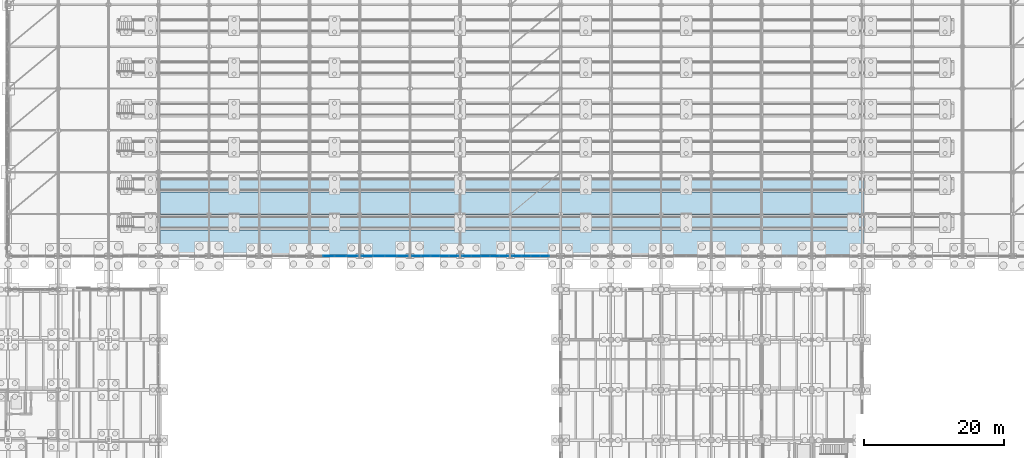
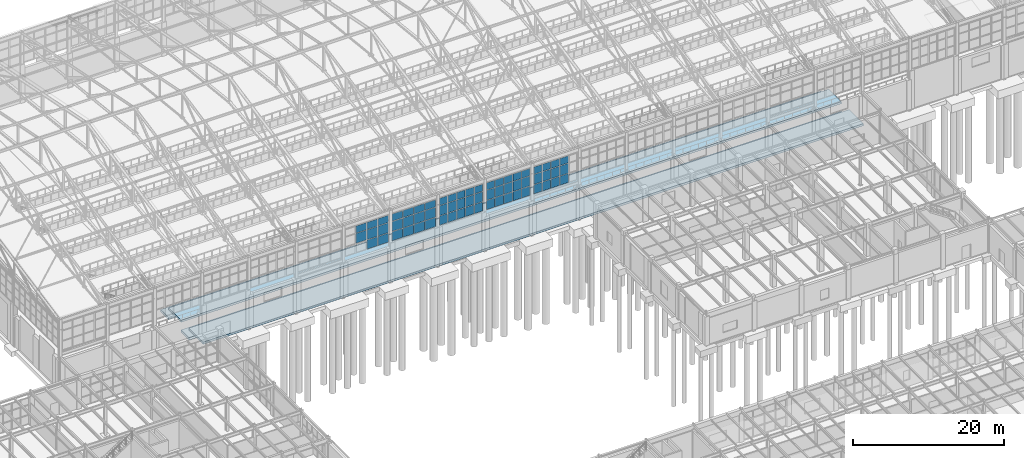
# One storey, part 241 of 293: 62 plates, 4 slabs, 5 elements without a shape of their own.
"""IFC4 building model written with IfcOpenShell, lengths in metres."""

from ifc_helpers import new_model, si_unit, direction, frame, origin, origin_2d, place, context, subcontext, project, spatial, polyline, rectangle, outline, extrude, material, layer, layer_set, type_object, element, aggregate, save


model = new_model("IFC4")

# Units and contexts
model_context = context("Model", 3, precision=1e-05, world=origin(), true_north=direction((0.0, 1.0)))
body_context = subcontext(model_context, "Body", "Model", "MODEL_VIEW")
ifc_project = project(units=[si_unit("LENGTHUNIT", "METRE"), si_unit("AREAUNIT", "SQUARE_METRE"), si_unit("VOLUMEUNIT", "CUBIC_METRE"), si_unit("PLANEANGLEUNIT", "RADIAN"), si_unit("MASSUNIT", "GRAM", prefix="KILO")], contexts=[model_context])

# Site, building, storey
site_placement = place(None, origin())
site = spatial("IfcSite", under=ifc_project, at=site_placement, CompositionType="ELEMENT")
building_placement = place(site_placement, origin())
building = spatial("IfcBuilding", under=site, at=building_placement, Name="Kemerveld Promenade Tramway Depot", CompositionType="ELEMENT")
storey_placement = place(building_placement, origin())
storey = spatial("IfcBuildingStorey", under=building, at=storey_placement, Name="L00", CompositionType="ELEMENT", Elevation=0.0)

# Curtain wall, plates
ifc_material_1 = material(Name="Bronze anodised aluminium and solar glass", Category="aluminium")
ifc_layer_1 = layer(ifc_material_1, 0.199951171875)
ifc_layer_set_1 = layer_set([ifc_layer_1], Name="CW-SYS-10")
curtain_wall_type_1 = type_object("IfcCurtainWallType", Name="CW-SYS-10", PredefinedType="USERDEFINED", material=ifc_layer_set_1)
curtain_wall_1_placement = place(storey_placement, origin())
curtain_wall_1 = element("IfcCurtainWall", 1, at=curtain_wall_1_placement, inside=storey, type_object=curtain_wall_type_1, Name="CW-V1-S-07", ObjectType="GLAZED_CURTAIN_WALL", PredefinedType="USERDEFINED")
ifc_material_2 = material(Name="Solar-control laminated double glazing", Category="glass")
ifc_layer_2 = layer(ifc_material_2, 0.028076171875)
ifc_layer_set_2 = layer_set([ifc_layer_2], Name="CW-PNL-02")
plate_type_1 = type_object("IfcPlateType", Name="CW-PNL-02", PredefinedType="CURTAIN_PANEL", material=ifc_layer_set_2)
plate_1_placement = place(storey_placement, frame((85.31396484375, 84.0, 6.26513671875), z_axis=(0.0, 0.0, 1.0), x_axis=(-1.0, 0.0, 0.0)))
plate_1 = element("IfcPlate", 2, at=plate_1_placement, type_object=plate_type_1, Name="CW10 panel 1.1", PredefinedType="CURTAIN_PANEL", context=body_context, shape_type="SweptSolid", body=[
    extrude(rectangle(XDim=1.575927734375, YDim=0.028076171875, at=origin_2d()), origin(), (0.0, 0.0, 1.0), 1.46044921875),
])
plate_2_placement = place(storey_placement, frame((85.31396484375, 84.0, 7.79052734375), z_axis=(0.0, 0.0, 1.0), x_axis=(-1.0, 0.0, 0.0)))
plate_2 = element("IfcPlate", 3, at=plate_2_placement, type_object=plate_type_1, Name="CW10 panel 1.2", PredefinedType="CURTAIN_PANEL", context=body_context, shape_type="SweptSolid", body=[
    extrude(rectangle(XDim=1.575927734375, YDim=0.028076171875, at=origin_2d()), origin(), (0.0, 0.0, 1.0), 1.5810546875),
])
plate_3_placement = place(storey_placement, frame((85.31396484375, 84.0, 9.4365234375), z_axis=(0.0, 0.0, 1.0), x_axis=(-1.0, 0.0, 0.0)))
plate_3 = element("IfcPlate", 4, at=plate_3_placement, type_object=plate_type_1, Name="CW10 panel 1.3", PredefinedType="CURTAIN_PANEL", context=body_context, shape_type="SweptSolid", body=[
    extrude(rectangle(XDim=1.575927734375, YDim=0.028076171875, at=origin_2d()), origin(), (0.0, 0.0, 1.0), 1.1484375),
])
plate_4_placement = place(storey_placement, frame((83.644287109375, 84.0, 6.26513671875), z_axis=(0.0, 0.0, 1.0), x_axis=(-1.0, 0.0, 0.0)))
plate_4 = element("IfcPlate", 5, at=plate_4_placement, type_object=plate_type_1, Name="CW10 panel 2.1", PredefinedType="CURTAIN_PANEL", context=body_context, shape_type="SweptSolid", body=[
    extrude(rectangle(XDim=1.61328125, YDim=0.028076171875, at=origin_2d()), origin(), (0.0, 0.0, 1.0), 1.46044921875),
])
plate_5_placement = place(storey_placement, frame((83.644287109375, 84.0, 7.79052734375), z_axis=(0.0, 0.0, 1.0), x_axis=(-1.0, 0.0, 0.0)))
plate_5 = element("IfcPlate", 6, at=plate_5_placement, type_object=plate_type_1, Name="CW10 panel 2.2", PredefinedType="CURTAIN_PANEL", context=body_context, shape_type="SweptSolid", body=[
    extrude(rectangle(XDim=1.61328125, YDim=0.028076171875, at=origin_2d()), origin(), (0.0, 0.0, 1.0), 1.5810546875),
])
plate_6_placement = place(storey_placement, frame((83.644287109375, 84.0, 9.4365234375), z_axis=(0.0, 0.0, 1.0), x_axis=(-1.0, 0.0, 0.0)))
plate_6 = element("IfcPlate", 7, at=plate_6_placement, type_object=plate_type_1, Name="CW10 panel 2.3", PredefinedType="CURTAIN_PANEL", context=body_context, shape_type="SweptSolid", body=[
    extrude(rectangle(XDim=1.61328125, YDim=0.028076171875, at=origin_2d()), origin(), (0.0, 0.0, 1.0), 1.1484375),
])
plate_7_placement = place(storey_placement, frame((81.955810546875, 84.0, 7.79052734375), z_axis=(0.0, 0.0, 1.0), x_axis=(-1.0, 0.0, 0.0)))
plate_7 = element("IfcPlate", 8, at=plate_7_placement, type_object=plate_type_1, Name="CW10 panel 3.2", PredefinedType="CURTAIN_PANEL", context=body_context, shape_type="SweptSolid", body=[
    extrude(rectangle(XDim=1.61328125, YDim=0.028076171875, at=origin_2d()), origin(), (0.0, 0.0, 1.0), 1.5810546875),
])
plate_8_placement = place(storey_placement, frame((81.955810546875, 84.0, 9.4365234375), z_axis=(0.0, 0.0, 1.0), x_axis=(-1.0, 0.0, 0.0)))
plate_8 = element("IfcPlate", 9, at=plate_8_placement, type_object=plate_type_1, Name="CW10 panel 3.3", PredefinedType="CURTAIN_PANEL", context=body_context, shape_type="SweptSolid", body=[
    extrude(rectangle(XDim=1.61328125, YDim=0.028076171875, at=origin_2d()), origin(), (0.0, 0.0, 1.0), 1.1484375),
])
aggregate(curtain_wall_1, [plate_1, plate_2, plate_3, plate_4, plate_5, plate_6, plate_7, plate_8])

ifc_layer_3 = layer(ifc_material_1, 0.159912109375)
ifc_layer_set_3 = layer_set([ifc_layer_3], Name="CW-SYS-11")
curtain_wall_type_2 = type_object("IfcCurtainWallType", Name="CW-SYS-11", PredefinedType="USERDEFINED", material=ifc_layer_set_3)
curtain_wall_2_placement = place(storey_placement, origin())
curtain_wall_2 = element("IfcCurtainWall", 10, at=curtain_wall_2_placement, inside=storey, type_object=curtain_wall_type_2, Name="CW-V1-S-08", ObjectType="GLAZED_CURTAIN_WALL", PredefinedType="USERDEFINED")
ifc_layer_4 = layer(ifc_material_2, 0.028076171875)
ifc_layer_set_4 = layer_set([ifc_layer_4], Name="CW-PNL-03")
plate_type_2 = type_object("IfcPlateType", Name="CW-PNL-03", PredefinedType="CURTAIN_PANEL", material=ifc_layer_set_4)
plate_9_placement = place(storey_placement, frame((92.516357421875, 84.0, 6.259765625), z_axis=(0.0, 0.0, 1.0), x_axis=(-1.0, 0.0, 0.0)))
plate_9 = element("IfcPlate", 11, at=plate_9_placement, type_object=plate_type_2, Name="CW11 panel 1.1", PredefinedType="CURTAIN_PANEL", context=body_context, shape_type="SweptSolid", body=[
    extrude(rectangle(XDim=1.5908203125, YDim=0.028076171875, at=origin_2d()), origin(), (0.0, 0.0, 1.0), 1.468017578125),
])
plate_10_placement = place(storey_placement, frame((92.516357421875, 84.0, 7.7880859375), z_axis=(0.0, 0.0, 1.0), x_axis=(-1.0, 0.0, 0.0)))
plate_10 = element("IfcPlate", 12, at=plate_10_placement, type_object=plate_type_2, Name="CW11 panel 1.2", PredefinedType="CURTAIN_PANEL", context=body_context, shape_type="SweptSolid", body=[
    extrude(rectangle(XDim=1.5908203125, YDim=0.028076171875, at=origin_2d()), origin(), (0.0, 0.0, 1.0), 1.5859375),
])
plate_11_placement = place(storey_placement, frame((92.516357421875, 84.0, 9.43408203125), z_axis=(0.0, 0.0, 1.0), x_axis=(-1.0, 0.0, 0.0)))
plate_11 = element("IfcPlate", 13, at=plate_11_placement, type_object=plate_type_2, Name="CW11 panel 1.3", PredefinedType="CURTAIN_PANEL", context=body_context, shape_type="SweptSolid", body=[
    extrude(rectangle(XDim=1.5908203125, YDim=0.028076171875, at=origin_2d()), origin(), (0.0, 0.0, 1.0), 1.156005859375),
])
plate_12_placement = place(storey_placement, frame((90.84423828125, 84.0, 6.259765625), z_axis=(0.0, 0.0, 1.0), x_axis=(-1.0, 0.0, 0.0)))
plate_12 = element("IfcPlate", 14, at=plate_12_placement, type_object=plate_type_2, Name="CW11 panel 2.1", PredefinedType="CURTAIN_PANEL", context=body_context, shape_type="SweptSolid", body=[
    extrude(rectangle(XDim=1.623291015625, YDim=0.028076171875, at=origin_2d()), origin(), (0.0, 0.0, 1.0), 1.468017578125),
])
plate_13_placement = place(storey_placement, frame((90.84423828125, 84.0, 7.7880859375), z_axis=(0.0, 0.0, 1.0), x_axis=(-1.0, 0.0, 0.0)))
plate_13 = element("IfcPlate", 15, at=plate_13_placement, type_object=plate_type_2, Name="CW11 panel 2.2", PredefinedType="CURTAIN_PANEL", context=body_context, shape_type="SweptSolid", body=[
    extrude(rectangle(XDim=1.623291015625, YDim=0.028076171875, at=origin_2d()), origin(), (0.0, 0.0, 1.0), 1.5859375),
])
plate_14_placement = place(storey_placement, frame((90.84423828125, 84.0, 9.43408203125), z_axis=(0.0, 0.0, 1.0), x_axis=(-1.0, 0.0, 0.0)))
plate_14 = element("IfcPlate", 16, at=plate_14_placement, type_object=plate_type_2, Name="CW11 panel 2.3", PredefinedType="CURTAIN_PANEL", context=body_context, shape_type="SweptSolid", body=[
    extrude(rectangle(XDim=1.623291015625, YDim=0.028076171875, at=origin_2d()), origin(), (0.0, 0.0, 1.0), 1.156005859375),
])
plate_15_placement = place(storey_placement, frame((89.15576171875, 84.0, 6.259765625), z_axis=(0.0, 0.0, 1.0), x_axis=(-1.0, 0.0, 0.0)))
plate_15 = element("IfcPlate", 17, at=plate_15_placement, type_object=plate_type_2, Name="CW11 panel 3.1", PredefinedType="CURTAIN_PANEL", context=body_context, shape_type="SweptSolid", body=[
    extrude(rectangle(XDim=1.623291015625, YDim=0.028076171875, at=origin_2d()), origin(), (0.0, 0.0, 1.0), 1.468017578125),
])
plate_16_placement = place(storey_placement, frame((89.15576171875, 84.0, 7.7880859375), z_axis=(0.0, 0.0, 1.0), x_axis=(-1.0, 0.0, 0.0)))
plate_16 = element("IfcPlate", 18, at=plate_16_placement, type_object=plate_type_2, Name="CW11 panel 3.2", PredefinedType="CURTAIN_PANEL", context=body_context, shape_type="SweptSolid", body=[
    extrude(rectangle(XDim=1.623291015625, YDim=0.028076171875, at=origin_2d()), origin(), (0.0, 0.0, 1.0), 1.5859375),
])
plate_17_placement = place(storey_placement, frame((89.15576171875, 84.0, 9.43408203125), z_axis=(0.0, 0.0, 1.0), x_axis=(-1.0, 0.0, 0.0)))
plate_17 = element("IfcPlate", 19, at=plate_17_placement, type_object=plate_type_2, Name="CW11 panel 3.3", PredefinedType="CURTAIN_PANEL", context=body_context, shape_type="SweptSolid", body=[
    extrude(rectangle(XDim=1.623291015625, YDim=0.028076171875, at=origin_2d()), origin(), (0.0, 0.0, 1.0), 1.156005859375),
])
plate_18_placement = place(storey_placement, frame((87.483642578125, 84.0, 6.259765625), z_axis=(0.0, 0.0, 1.0), x_axis=(-1.0, 0.0, 0.0)))
plate_18 = element("IfcPlate", 20, at=plate_18_placement, type_object=plate_type_2, Name="CW11 panel 4.1", PredefinedType="CURTAIN_PANEL", context=body_context, shape_type="SweptSolid", body=[
    extrude(rectangle(XDim=1.5908203125, YDim=0.028076171875, at=origin_2d()), origin(), (0.0, 0.0, 1.0), 1.468017578125),
])
plate_19_placement = place(storey_placement, frame((87.483642578125, 84.0, 7.7880859375), z_axis=(0.0, 0.0, 1.0), x_axis=(-1.0, 0.0, 0.0)))
plate_19 = element("IfcPlate", 21, at=plate_19_placement, type_object=plate_type_2, Name="CW11 panel 4.2", PredefinedType="CURTAIN_PANEL", context=body_context, shape_type="SweptSolid", body=[
    extrude(rectangle(XDim=1.5908203125, YDim=0.028076171875, at=origin_2d()), origin(), (0.0, 0.0, 1.0), 1.5859375),
])
plate_20_placement = place(storey_placement, frame((87.483642578125, 84.0, 9.43408203125), z_axis=(0.0, 0.0, 1.0), x_axis=(-1.0, 0.0, 0.0)))
plate_20 = element("IfcPlate", 22, at=plate_20_placement, type_object=plate_type_2, Name="CW11 panel 4.3", PredefinedType="CURTAIN_PANEL", context=body_context, shape_type="SweptSolid", body=[
    extrude(rectangle(XDim=1.5908203125, YDim=0.028076171875, at=origin_2d()), origin(), (0.0, 0.0, 1.0), 1.156005859375),
])
aggregate(curtain_wall_2, [plate_9, plate_10, plate_11, plate_12, plate_13, plate_14, plate_15, plate_16, plate_17, plate_18, plate_19, plate_20])

ifc_layer_5 = layer(ifc_material_1, 0.199951171875)
ifc_layer_set_5 = layer_set([ifc_layer_5], Name="CW-SYS-12")
curtain_wall_type_3 = type_object("IfcCurtainWallType", Name="CW-SYS-12", PredefinedType="USERDEFINED", material=ifc_layer_set_5)
curtain_wall_3_placement = place(storey_placement, origin())
curtain_wall_3 = element("IfcCurtainWall", 23, at=curtain_wall_3_placement, inside=storey, type_object=curtain_wall_type_3, Name="CW-V1-S-09", ObjectType="GLAZED_CURTAIN_WALL", PredefinedType="USERDEFINED")
ifc_layer_6 = layer(ifc_material_2, 0.031982421875)
ifc_layer_set_6 = layer_set([ifc_layer_6], Name="CW-PNL-04")
plate_type_3 = type_object("IfcPlateType", Name="CW-PNL-04", PredefinedType="CURTAIN_PANEL", material=ifc_layer_set_6)
plate_21_placement = place(storey_placement, frame((99.882568359375, 84.0, 6.26513671875), z_axis=(0.0, 0.0, 1.0), x_axis=(-1.0, 0.0, 0.0)))
plate_21 = element("IfcPlate", 24, at=plate_21_placement, type_object=plate_type_3, Name="CW12 panel 1.1", PredefinedType="CURTAIN_PANEL", context=body_context, shape_type="SweptSolid", body=[
    extrude(rectangle(XDim=1.23828125, YDim=0.031982421875, at=origin_2d()), origin(), (0.0, 0.0, 1.0), 1.46044921875),
])
plate_22_placement = place(storey_placement, frame((99.882568359375, 84.0, 7.79052734375), z_axis=(0.0, 0.0, 1.0), x_axis=(-1.0, 0.0, 0.0)))
plate_22 = element("IfcPlate", 25, at=plate_22_placement, type_object=plate_type_3, Name="CW12 panel 1.2", PredefinedType="CURTAIN_PANEL", context=body_context, shape_type="SweptSolid", body=[
    extrude(rectangle(XDim=1.23828125, YDim=0.031982421875, at=origin_2d()), origin(), (0.0, 0.0, 1.0), 1.5810546875),
])
plate_23_placement = place(storey_placement, frame((99.882568359375, 84.0, 9.4365234375), z_axis=(0.0, 0.0, 1.0), x_axis=(-1.0, 0.0, 0.0)))
plate_23 = element("IfcPlate", 26, at=plate_23_placement, type_object=plate_type_3, Name="CW12 panel 1.3", PredefinedType="CURTAIN_PANEL", context=body_context, shape_type="SweptSolid", body=[
    extrude(rectangle(XDim=1.23828125, YDim=0.031982421875, at=origin_2d()), origin(), (0.0, 0.0, 1.0), 1.1484375),
])
plate_24_placement = place(storey_placement, frame((98.55078125, 84.0, 6.26513671875), z_axis=(0.0, 0.0, 1.0), x_axis=(-1.0, 0.0, 0.0)))
plate_24 = element("IfcPlate", 27, at=plate_24_placement, type_object=plate_type_3, Name="CW12 panel 2.1", PredefinedType="CURTAIN_PANEL", context=body_context, shape_type="SweptSolid", body=[
    extrude(rectangle(XDim=1.275634765625, YDim=0.031982421875, at=origin_2d()), origin(), (0.0, 0.0, 1.0), 1.46044921875),
])
plate_25_placement = place(storey_placement, frame((98.55078125, 84.0, 7.79052734375), z_axis=(0.0, 0.0, 1.0), x_axis=(-1.0, 0.0, 0.0)))
plate_25 = element("IfcPlate", 28, at=plate_25_placement, type_object=plate_type_3, Name="CW12 panel 2.2", PredefinedType="CURTAIN_PANEL", context=body_context, shape_type="SweptSolid", body=[
    extrude(rectangle(XDim=1.275634765625, YDim=0.031982421875, at=origin_2d()), origin(), (0.0, 0.0, 1.0), 1.5810546875),
])
plate_26_placement = place(storey_placement, frame((98.55078125, 84.0, 9.4365234375), z_axis=(0.0, 0.0, 1.0), x_axis=(-1.0, 0.0, 0.0)))
plate_26 = element("IfcPlate", 29, at=plate_26_placement, type_object=plate_type_3, Name="CW12 panel 2.3", PredefinedType="CURTAIN_PANEL", context=body_context, shape_type="SweptSolid", body=[
    extrude(rectangle(XDim=1.275634765625, YDim=0.031982421875, at=origin_2d()), origin(), (0.0, 0.0, 1.0), 1.1484375),
])
plate_27_placement = place(storey_placement, frame((97.199951171875, 84.0, 6.26513671875), z_axis=(0.0, 0.0, 1.0), x_axis=(-1.0, 0.0, 0.0)))
plate_27 = element("IfcPlate", 30, at=plate_27_placement, type_object=plate_type_3, Name="CW12 panel 3.1", PredefinedType="CURTAIN_PANEL", context=body_context, shape_type="SweptSolid", body=[
    extrude(rectangle(XDim=1.275634765625, YDim=0.031982421875, at=origin_2d()), origin(), (0.0, 0.0, 1.0), 1.46044921875),
])
plate_28_placement = place(storey_placement, frame((97.199951171875, 84.0, 7.79052734375), z_axis=(0.0, 0.0, 1.0), x_axis=(-1.0, 0.0, 0.0)))
plate_28 = element("IfcPlate", 31, at=plate_28_placement, type_object=plate_type_3, Name="CW12 panel 3.2", PredefinedType="CURTAIN_PANEL", context=body_context, shape_type="SweptSolid", body=[
    extrude(rectangle(XDim=1.275634765625, YDim=0.031982421875, at=origin_2d()), origin(), (0.0, 0.0, 1.0), 1.5810546875),
])
plate_29_placement = place(storey_placement, frame((97.199951171875, 84.0, 9.4365234375), z_axis=(0.0, 0.0, 1.0), x_axis=(-1.0, 0.0, 0.0)))
plate_29 = element("IfcPlate", 32, at=plate_29_placement, type_object=plate_type_3, Name="CW12 panel 3.3", PredefinedType="CURTAIN_PANEL", context=body_context, shape_type="SweptSolid", body=[
    extrude(rectangle(XDim=1.275634765625, YDim=0.031982421875, at=origin_2d()), origin(), (0.0, 0.0, 1.0), 1.1484375),
])
plate_30_placement = place(storey_placement, frame((95.849365234375, 84.0, 6.26513671875), z_axis=(0.0, 0.0, 1.0), x_axis=(-1.0, 0.0, 0.0)))
plate_30 = element("IfcPlate", 33, at=plate_30_placement, type_object=plate_type_3, Name="CW12 panel 4.1", PredefinedType="CURTAIN_PANEL", context=body_context, shape_type="SweptSolid", body=[
    extrude(rectangle(XDim=1.275634765625, YDim=0.031982421875, at=origin_2d()), origin(), (0.0, 0.0, 1.0), 1.46044921875),
])
plate_31_placement = place(storey_placement, frame((95.849365234375, 84.0, 7.79052734375), z_axis=(0.0, 0.0, 1.0), x_axis=(-1.0, 0.0, 0.0)))
plate_31 = element("IfcPlate", 34, at=plate_31_placement, type_object=plate_type_3, Name="CW12 panel 4.2", PredefinedType="CURTAIN_PANEL", context=body_context, shape_type="SweptSolid", body=[
    extrude(rectangle(XDim=1.275634765625, YDim=0.031982421875, at=origin_2d()), origin(), (0.0, 0.0, 1.0), 1.5810546875),
])
plate_32_placement = place(storey_placement, frame((95.849365234375, 84.0, 9.4365234375), z_axis=(0.0, 0.0, 1.0), x_axis=(-1.0, 0.0, 0.0)))
plate_32 = element("IfcPlate", 35, at=plate_32_placement, type_object=plate_type_3, Name="CW12 panel 4.3", PredefinedType="CURTAIN_PANEL", context=body_context, shape_type="SweptSolid", body=[
    extrude(rectangle(XDim=1.275634765625, YDim=0.031982421875, at=origin_2d()), origin(), (0.0, 0.0, 1.0), 1.1484375),
])
plate_33_placement = place(storey_placement, frame((94.517333984375, 84.0, 6.26513671875), z_axis=(0.0, 0.0, 1.0), x_axis=(-1.0, 0.0, 0.0)))
plate_33 = element("IfcPlate", 36, at=plate_33_placement, type_object=plate_type_3, Name="CW12 panel 5.1", PredefinedType="CURTAIN_PANEL", context=body_context, shape_type="SweptSolid", body=[
    extrude(rectangle(XDim=1.23828125, YDim=0.031982421875, at=origin_2d()), origin(), (0.0, 0.0, 1.0), 1.46044921875),
])
plate_34_placement = place(storey_placement, frame((94.517333984375, 84.0, 7.79052734375), z_axis=(0.0, 0.0, 1.0), x_axis=(-1.0, 0.0, 0.0)))
plate_34 = element("IfcPlate", 37, at=plate_34_placement, type_object=plate_type_3, Name="CW12 panel 5.2", PredefinedType="CURTAIN_PANEL", context=body_context, shape_type="SweptSolid", body=[
    extrude(rectangle(XDim=1.23828125, YDim=0.031982421875, at=origin_2d()), origin(), (0.0, 0.0, 1.0), 1.5810546875),
])
plate_35_placement = place(storey_placement, frame((94.517333984375, 84.0, 9.4365234375), z_axis=(0.0, 0.0, 1.0), x_axis=(-1.0, 0.0, 0.0)))
plate_35 = element("IfcPlate", 38, at=plate_35_placement, type_object=plate_type_3, Name="CW12 panel 5.3", PredefinedType="CURTAIN_PANEL", context=body_context, shape_type="SweptSolid", body=[
    extrude(rectangle(XDim=1.23828125, YDim=0.031982421875, at=origin_2d()), origin(), (0.0, 0.0, 1.0), 1.1484375),
])
aggregate(curtain_wall_3, [plate_21, plate_22, plate_23, plate_24, plate_25, plate_26, plate_27, plate_28, plate_29, plate_30, plate_31, plate_32, plate_33, plate_34, plate_35])

ifc_layer_7 = layer(ifc_material_1, 0.159912109375)
ifc_layer_set_7 = layer_set([ifc_layer_7], Name="CW-SYS-13")
curtain_wall_type_4 = type_object("IfcCurtainWallType", Name="CW-SYS-13", PredefinedType="USERDEFINED", material=ifc_layer_set_7)
curtain_wall_4_placement = place(storey_placement, origin())
curtain_wall_4 = element("IfcCurtainWall", 39, at=curtain_wall_4_placement, inside=storey, type_object=curtain_wall_type_4, Name="CW-V1-S-10", ObjectType="GLAZED_CURTAIN_WALL", PredefinedType="USERDEFINED")
ifc_layer_8 = layer(ifc_material_2, 0.031982421875)
ifc_layer_set_8 = layer_set([ifc_layer_8], Name="CW-PNL-05")
plate_type_4 = type_object("IfcPlateType", Name="CW-PNL-05", PredefinedType="CURTAIN_PANEL", material=ifc_layer_set_8)
plate_36_placement = place(storey_placement, frame((107.085205078125, 84.0, 6.259765625), z_axis=(0.0, 0.0, 1.0), x_axis=(-1.0, 0.0, 0.0)))
plate_36 = element("IfcPlate", 40, at=plate_36_placement, type_object=plate_type_4, Name="CW13 panel 1.1", PredefinedType="CURTAIN_PANEL", context=body_context, shape_type="SweptSolid", body=[
    extrude(rectangle(XDim=1.253173828125, YDim=0.031982421875, at=origin_2d()), origin(), (0.0, 0.0, 1.0), 1.468017578125),
])
plate_37_placement = place(storey_placement, frame((107.085205078125, 84.0, 7.7880859375), z_axis=(0.0, 0.0, 1.0), x_axis=(-1.0, 0.0, 0.0)))
plate_37 = element("IfcPlate", 41, at=plate_37_placement, type_object=plate_type_4, Name="CW13 panel 1.2", PredefinedType="CURTAIN_PANEL", context=body_context, shape_type="SweptSolid", body=[
    extrude(rectangle(XDim=1.253173828125, YDim=0.031982421875, at=origin_2d()), origin(), (0.0, 0.0, 1.0), 1.5859375),
])
plate_38_placement = place(storey_placement, frame((107.085205078125, 84.0, 9.43408203125), z_axis=(0.0, 0.0, 1.0), x_axis=(-1.0, 0.0, 0.0)))
plate_38 = element("IfcPlate", 42, at=plate_38_placement, type_object=plate_type_4, Name="CW13 panel 1.3", PredefinedType="CURTAIN_PANEL", context=body_context, shape_type="SweptSolid", body=[
    extrude(rectangle(XDim=1.253173828125, YDim=0.031982421875, at=origin_2d()), origin(), (0.0, 0.0, 1.0), 1.156005859375),
])
plate_39_placement = place(storey_placement, frame((105.750732421875, 84.0, 6.259765625), z_axis=(0.0, 0.0, 1.0), x_axis=(-1.0, 0.0, 0.0)))
plate_39 = element("IfcPlate", 43, at=plate_39_placement, type_object=plate_type_4, Name="CW13 panel 2.1", PredefinedType="CURTAIN_PANEL", context=body_context, shape_type="SweptSolid", body=[
    extrude(rectangle(XDim=1.28564453125, YDim=0.031982421875, at=origin_2d()), origin(), (0.0, 0.0, 1.0), 1.468017578125),
])
plate_40_placement = place(storey_placement, frame((105.750732421875, 84.0, 7.7880859375), z_axis=(0.0, 0.0, 1.0), x_axis=(-1.0, 0.0, 0.0)))
plate_40 = element("IfcPlate", 44, at=plate_40_placement, type_object=plate_type_4, Name="CW13 panel 2.2", PredefinedType="CURTAIN_PANEL", context=body_context, shape_type="SweptSolid", body=[
    extrude(rectangle(XDim=1.28564453125, YDim=0.031982421875, at=origin_2d()), origin(), (0.0, 0.0, 1.0), 1.5859375),
])
plate_41_placement = place(storey_placement, frame((105.750732421875, 84.0, 9.43408203125), z_axis=(0.0, 0.0, 1.0), x_axis=(-1.0, 0.0, 0.0)))
plate_41 = element("IfcPlate", 45, at=plate_41_placement, type_object=plate_type_4, Name="CW13 panel 2.3", PredefinedType="CURTAIN_PANEL", context=body_context, shape_type="SweptSolid", body=[
    extrude(rectangle(XDim=1.28564453125, YDim=0.031982421875, at=origin_2d()), origin(), (0.0, 0.0, 1.0), 1.156005859375),
])
plate_42_placement = place(storey_placement, frame((104.39990234375, 84.0, 6.259765625), z_axis=(0.0, 0.0, 1.0), x_axis=(-1.0, 0.0, 0.0)))
plate_42 = element("IfcPlate", 46, at=plate_42_placement, type_object=plate_type_4, Name="CW13 panel 3.1", PredefinedType="CURTAIN_PANEL", context=body_context, shape_type="SweptSolid", body=[
    extrude(rectangle(XDim=1.28564453125, YDim=0.031982421875, at=origin_2d()), origin(), (0.0, 0.0, 1.0), 1.468017578125),
])
plate_43_placement = place(storey_placement, frame((104.39990234375, 84.0, 7.7880859375), z_axis=(0.0, 0.0, 1.0), x_axis=(-1.0, 0.0, 0.0)))
plate_43 = element("IfcPlate", 47, at=plate_43_placement, type_object=plate_type_4, Name="CW13 panel 3.2", PredefinedType="CURTAIN_PANEL", context=body_context, shape_type="SweptSolid", body=[
    extrude(rectangle(XDim=1.28564453125, YDim=0.031982421875, at=origin_2d()), origin(), (0.0, 0.0, 1.0), 1.5859375),
])
plate_44_placement = place(storey_placement, frame((104.39990234375, 84.0, 9.43408203125), z_axis=(0.0, 0.0, 1.0), x_axis=(-1.0, 0.0, 0.0)))
plate_44 = element("IfcPlate", 48, at=plate_44_placement, type_object=plate_type_4, Name="CW13 panel 3.3", PredefinedType="CURTAIN_PANEL", context=body_context, shape_type="SweptSolid", body=[
    extrude(rectangle(XDim=1.28564453125, YDim=0.031982421875, at=origin_2d()), origin(), (0.0, 0.0, 1.0), 1.156005859375),
])
plate_45_placement = place(storey_placement, frame((103.04931640625, 84.0, 6.259765625), z_axis=(0.0, 0.0, 1.0), x_axis=(-1.0, 0.0, 0.0)))
plate_45 = element("IfcPlate", 49, at=plate_45_placement, type_object=plate_type_4, Name="CW13 panel 4.1", PredefinedType="CURTAIN_PANEL", context=body_context, shape_type="SweptSolid", body=[
    extrude(rectangle(XDim=1.28564453125, YDim=0.031982421875, at=origin_2d()), origin(), (0.0, 0.0, 1.0), 1.468017578125),
])
plate_46_placement = place(storey_placement, frame((103.04931640625, 84.0, 7.7880859375), z_axis=(0.0, 0.0, 1.0), x_axis=(-1.0, 0.0, 0.0)))
plate_46 = element("IfcPlate", 50, at=plate_46_placement, type_object=plate_type_4, Name="CW13 panel 4.2", PredefinedType="CURTAIN_PANEL", context=body_context, shape_type="SweptSolid", body=[
    extrude(rectangle(XDim=1.28564453125, YDim=0.031982421875, at=origin_2d()), origin(), (0.0, 0.0, 1.0), 1.5859375),
])
plate_47_placement = place(storey_placement, frame((103.04931640625, 84.0, 9.43408203125), z_axis=(0.0, 0.0, 1.0), x_axis=(-1.0, 0.0, 0.0)))
plate_47 = element("IfcPlate", 51, at=plate_47_placement, type_object=plate_type_4, Name="CW13 panel 4.3", PredefinedType="CURTAIN_PANEL", context=body_context, shape_type="SweptSolid", body=[
    extrude(rectangle(XDim=1.28564453125, YDim=0.031982421875, at=origin_2d()), origin(), (0.0, 0.0, 1.0), 1.156005859375),
])
plate_48_placement = place(storey_placement, frame((101.71484375, 84.0, 6.259765625), z_axis=(0.0, 0.0, 1.0), x_axis=(-1.0, 0.0, 0.0)))
plate_48 = element("IfcPlate", 52, at=plate_48_placement, type_object=plate_type_4, Name="CW13 panel 5.1", PredefinedType="CURTAIN_PANEL", context=body_context, shape_type="SweptSolid", body=[
    extrude(rectangle(XDim=1.253173828125, YDim=0.031982421875, at=origin_2d()), origin(), (0.0, 0.0, 1.0), 1.468017578125),
])
plate_49_placement = place(storey_placement, frame((101.71484375, 84.0, 7.7880859375), z_axis=(0.0, 0.0, 1.0), x_axis=(-1.0, 0.0, 0.0)))
plate_49 = element("IfcPlate", 53, at=plate_49_placement, type_object=plate_type_4, Name="CW13 panel 5.2", PredefinedType="CURTAIN_PANEL", context=body_context, shape_type="SweptSolid", body=[
    extrude(rectangle(XDim=1.253173828125, YDim=0.031982421875, at=origin_2d()), origin(), (0.0, 0.0, 1.0), 1.5859375),
])
plate_50_placement = place(storey_placement, frame((101.71484375, 84.0, 9.43408203125), z_axis=(0.0, 0.0, 1.0), x_axis=(-1.0, 0.0, 0.0)))
plate_50 = element("IfcPlate", 54, at=plate_50_placement, type_object=plate_type_4, Name="CW13 panel 5.3", PredefinedType="CURTAIN_PANEL", context=body_context, shape_type="SweptSolid", body=[
    extrude(rectangle(XDim=1.253173828125, YDim=0.031982421875, at=origin_2d()), origin(), (0.0, 0.0, 1.0), 1.156005859375),
])
aggregate(curtain_wall_4, [plate_36, plate_37, plate_38, plate_39, plate_40, plate_41, plate_42, plate_43, plate_44, plate_45, plate_46, plate_47, plate_48, plate_49, plate_50])

ifc_layer_9 = layer(ifc_material_1, 0.199951171875)
ifc_layer_set_9 = layer_set([ifc_layer_9], Name="CW-SYS-14")
curtain_wall_type_5 = type_object("IfcCurtainWallType", Name="CW-SYS-14", PredefinedType="USERDEFINED", material=ifc_layer_set_9)
curtain_wall_5_placement = place(storey_placement, origin())
curtain_wall_5 = element("IfcCurtainWall", 55, at=curtain_wall_5_placement, inside=storey, type_object=curtain_wall_type_5, Name="CW-V1-S-11", ObjectType="GLAZED_CURTAIN_WALL", PredefinedType="USERDEFINED")
ifc_layer_10 = layer(ifc_material_2, 0.02587890625)
ifc_layer_set_10 = layer_set([ifc_layer_10], Name="CW-PNL-06")
plate_type_5 = type_object("IfcPlateType", Name="CW-PNL-06", PredefinedType="CURTAIN_PANEL", material=ifc_layer_set_10)
plate_51_placement = place(storey_placement, frame((112.95068359375, 84.0, 6.26513671875), z_axis=(0.0, 0.0, 1.0), x_axis=(-1.0, 0.0, 0.0)))
plate_51 = element("IfcPlate", 56, at=plate_51_placement, type_object=plate_type_5, Name="CW14 panel 2.1", PredefinedType="CURTAIN_PANEL", context=body_context, shape_type="SweptSolid", body=[
    extrude(rectangle(XDim=1.275634765625, YDim=0.02587890625, at=origin_2d()), origin(), (0.0, 0.0, 1.0), 1.46044921875),
])
plate_52_placement = place(storey_placement, frame((112.95068359375, 84.0, 7.79052734375), z_axis=(0.0, 0.0, 1.0), x_axis=(-1.0, 0.0, 0.0)))
plate_52 = element("IfcPlate", 57, at=plate_52_placement, type_object=plate_type_5, Name="CW14 panel 2.2", PredefinedType="CURTAIN_PANEL", context=body_context, shape_type="SweptSolid", body=[
    extrude(rectangle(XDim=1.275634765625, YDim=0.02587890625, at=origin_2d()), origin(), (0.0, 0.0, 1.0), 1.5810546875),
])
plate_53_placement = place(storey_placement, frame((112.95068359375, 84.0, 9.4365234375), z_axis=(0.0, 0.0, 1.0), x_axis=(-1.0, 0.0, 0.0)))
plate_53 = element("IfcPlate", 58, at=plate_53_placement, type_object=plate_type_5, Name="CW14 panel 2.3", PredefinedType="CURTAIN_PANEL", context=body_context, shape_type="SweptSolid", body=[
    extrude(rectangle(XDim=1.275634765625, YDim=0.02587890625, at=origin_2d()), origin(), (0.0, 0.0, 1.0), 1.1484375),
])
plate_54_placement = place(storey_placement, frame((111.60009765625, 84.0, 6.26513671875), z_axis=(0.0, 0.0, 1.0), x_axis=(-1.0, 0.0, 0.0)))
plate_54 = element("IfcPlate", 59, at=plate_54_placement, type_object=plate_type_5, Name="CW14 panel 3.1", PredefinedType="CURTAIN_PANEL", context=body_context, shape_type="SweptSolid", body=[
    extrude(rectangle(XDim=1.275634765625, YDim=0.02587890625, at=origin_2d()), origin(), (0.0, 0.0, 1.0), 1.46044921875),
])
plate_55_placement = place(storey_placement, frame((111.60009765625, 84.0, 7.79052734375), z_axis=(0.0, 0.0, 1.0), x_axis=(-1.0, 0.0, 0.0)))
plate_55 = element("IfcPlate", 60, at=plate_55_placement, type_object=plate_type_5, Name="CW14 panel 3.2", PredefinedType="CURTAIN_PANEL", context=body_context, shape_type="SweptSolid", body=[
    extrude(rectangle(XDim=1.275634765625, YDim=0.02587890625, at=origin_2d()), origin(), (0.0, 0.0, 1.0), 1.5810546875),
])
plate_56_placement = place(storey_placement, frame((111.60009765625, 84.0, 9.4365234375), z_axis=(0.0, 0.0, 1.0), x_axis=(-1.0, 0.0, 0.0)))
plate_56 = element("IfcPlate", 61, at=plate_56_placement, type_object=plate_type_5, Name="CW14 panel 3.3", PredefinedType="CURTAIN_PANEL", context=body_context, shape_type="SweptSolid", body=[
    extrude(rectangle(XDim=1.275634765625, YDim=0.02587890625, at=origin_2d()), origin(), (0.0, 0.0, 1.0), 1.1484375),
])
plate_57_placement = place(storey_placement, frame((110.249267578125, 84.0, 6.26513671875), z_axis=(0.0, 0.0, 1.0), x_axis=(-1.0, 0.0, 0.0)))
plate_57 = element("IfcPlate", 62, at=plate_57_placement, type_object=plate_type_5, Name="CW14 panel 4.1", PredefinedType="CURTAIN_PANEL", context=body_context, shape_type="SweptSolid", body=[
    extrude(rectangle(XDim=1.275634765625, YDim=0.02587890625, at=origin_2d()), origin(), (0.0, 0.0, 1.0), 1.46044921875),
])
plate_58_placement = place(storey_placement, frame((110.249267578125, 84.0, 7.79052734375), z_axis=(0.0, 0.0, 1.0), x_axis=(-1.0, 0.0, 0.0)))
plate_58 = element("IfcPlate", 63, at=plate_58_placement, type_object=plate_type_5, Name="CW14 panel 4.2", PredefinedType="CURTAIN_PANEL", context=body_context, shape_type="SweptSolid", body=[
    extrude(rectangle(XDim=1.275634765625, YDim=0.02587890625, at=origin_2d()), origin(), (0.0, 0.0, 1.0), 1.5810546875),
])
plate_59_placement = place(storey_placement, frame((110.249267578125, 84.0, 9.4365234375), z_axis=(0.0, 0.0, 1.0), x_axis=(-1.0, 0.0, 0.0)))
plate_59 = element("IfcPlate", 64, at=plate_59_placement, type_object=plate_type_5, Name="CW14 panel 4.3", PredefinedType="CURTAIN_PANEL", context=body_context, shape_type="SweptSolid", body=[
    extrude(rectangle(XDim=1.275634765625, YDim=0.02587890625, at=origin_2d()), origin(), (0.0, 0.0, 1.0), 1.1484375),
])
plate_60_placement = place(storey_placement, frame((108.917236328125, 84.0, 6.26513671875), z_axis=(0.0, 0.0, 1.0), x_axis=(-1.0, 0.0, 0.0)))
plate_60 = element("IfcPlate", 65, at=plate_60_placement, type_object=plate_type_5, Name="CW14 panel 5.1", PredefinedType="CURTAIN_PANEL", context=body_context, shape_type="SweptSolid", body=[
    extrude(rectangle(XDim=1.23828125, YDim=0.02587890625, at=origin_2d()), origin(), (0.0, 0.0, 1.0), 1.46044921875),
])
plate_61_placement = place(storey_placement, frame((108.917236328125, 84.0, 7.79052734375), z_axis=(0.0, 0.0, 1.0), x_axis=(-1.0, 0.0, 0.0)))
plate_61 = element("IfcPlate", 66, at=plate_61_placement, type_object=plate_type_5, Name="CW14 panel 5.2", PredefinedType="CURTAIN_PANEL", context=body_context, shape_type="SweptSolid", body=[
    extrude(rectangle(XDim=1.23828125, YDim=0.02587890625, at=origin_2d()), origin(), (0.0, 0.0, 1.0), 1.5810546875),
])
plate_62_placement = place(storey_placement, frame((108.917236328125, 84.0, 9.4365234375), z_axis=(0.0, 0.0, 1.0), x_axis=(-1.0, 0.0, 0.0)))
plate_62 = element("IfcPlate", 67, at=plate_62_placement, type_object=plate_type_5, Name="CW14 panel 5.3", PredefinedType="CURTAIN_PANEL", context=body_context, shape_type="SweptSolid", body=[
    extrude(rectangle(XDim=1.23828125, YDim=0.02587890625, at=origin_2d()), origin(), (0.0, 0.0, 1.0), 1.1484375),
])
aggregate(curtain_wall_5, [plate_51, plate_52, plate_53, plate_54, plate_55, plate_56, plate_57, plate_58, plate_59, plate_60, plate_61, plate_62])

# Slabs
ifc_material_3 = material(Name="Concrete C35/45", Category="concrete")
ifc_layer_11 = layer(ifc_material_3, 0.35009765625)
ifc_layer_set_11 = layer_set([ifc_layer_11], Name="SL-BS01")
slab_type_1 = type_object("IfcSlabType", Name="SL-BS01", PredefinedType="BASESLAB", material=ifc_layer_set_11)
slab_1_placement = place(storey_placement, frame((0.0, 0.0, -0.35009765625)))
element("IfcSlab", 68, at=slab_1_placement, inside=storey, type_object=slab_type_1, Name="SLB-L00-V1", PredefinedType="BASESLAB", context=body_context, shape_type="SweptSolid", body=[
    extrude(outline(polyline([(57.860107421875, 84.0), (57.860107421875, 87.75), (158.60009765625, 87.75), (158.60009765625, 84.0), (57.860107421875, 84.0)])), origin(), (0.0, 0.0, 1.0), 0.35009765625),
])
slab_2_placement = place(storey_placement, frame((0.0, 0.0, -0.35009765625)))
element("IfcSlab", 69, at=slab_2_placement, inside=storey, type_object=slab_type_1, Name="SLB-L00-V1-2", PredefinedType="BASESLAB", context=body_context, shape_type="SweptSolid", body=[
    extrude(outline(polyline([(57.860107421875, 89.85009765625), (57.860107421875, 93.14990234375), (158.60009765625, 93.14990234375), (158.60009765625, 89.85009765625), (57.860107421875, 89.85009765625)])), origin(), (0.0, 0.0, 1.0), 0.35009765625),
])
ifc_material_4 = material(Name="Concrete C40/50", Category="concrete")
ifc_layer_12 = layer(ifc_material_4, 0.39990234375)
ifc_layer_set_12 = layer_set([ifc_layer_12], Name="SL-BS03")
slab_type_2 = type_object("IfcSlabType", Name="SL-BS03", PredefinedType="BASESLAB", material=ifc_layer_set_12)
slab_3_placement = place(storey_placement, frame((0.0, 0.0, -1.949951171875)))
element("IfcSlab", 70, at=slab_3_placement, inside=storey, type_object=slab_type_2, Name="SLB-PIT-01", PredefinedType="BASESLAB", context=body_context, shape_type="SweptSolid", body=[
    extrude(outline(polyline([(57.860107421875, 87.75), (158.60009765625, 87.75), (158.60009765625, 89.85009765625), (57.860107421875, 89.85009765625), (57.860107421875, 87.75)])), origin(), (0.0, 0.0, 1.0), 0.39990234375),
])
slab_4_placement = place(storey_placement, frame((0.0, 0.0, -1.949951171875)))
element("IfcSlab", 71, at=slab_4_placement, inside=storey, type_object=slab_type_2, Name="SLB-PIT-02", PredefinedType="BASESLAB", context=body_context, shape_type="SweptSolid", body=[
    extrude(outline(polyline([(57.860107421875, 93.14990234375), (158.60009765625, 93.14990234375), (158.60009765625, 95.25), (57.860107421875, 95.25), (57.860107421875, 93.14990234375)])), origin(), (0.0, 0.0, 1.0), 0.39990234375),
])

save(model, "model.ifc")
